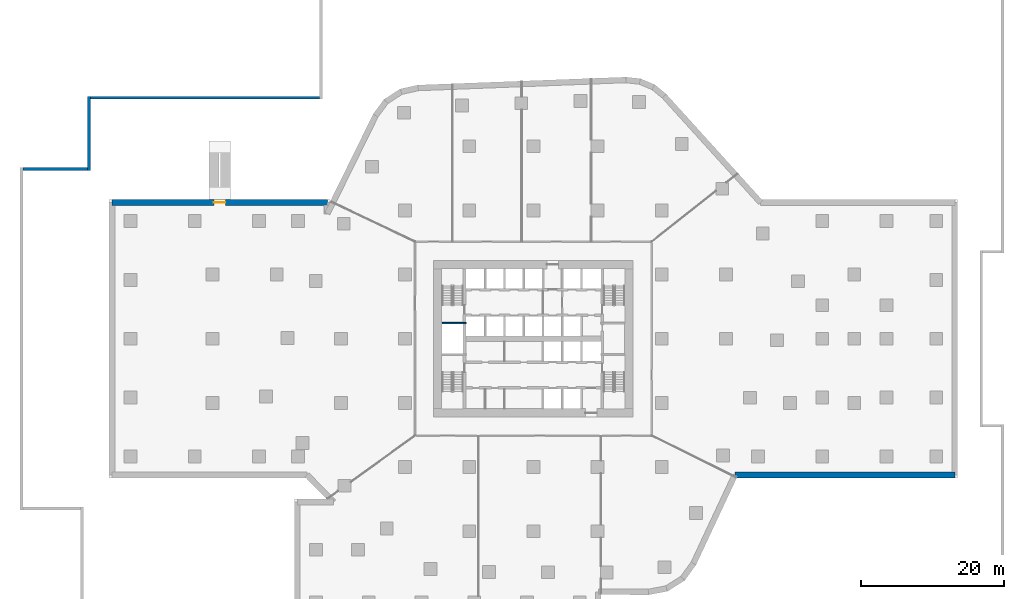
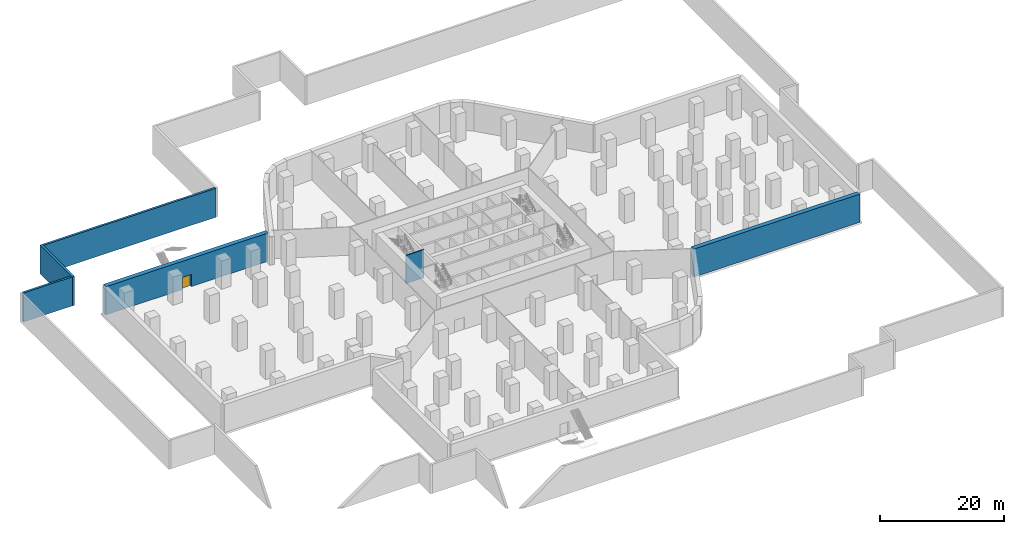
# One storey, part 6 of 11: 6 walls, 1 door, 1 opening.
"""IFC4 building model written with IfcOpenShell, lengths in metres."""

import ifcopenshell
import ifcopenshell.guid

model = None  # the IFC model being written
_history = None  # IfcOwnerHistory: only IFC2X3 demands one
_inside = {}  # id of a spatial element -> (the spatial element, [elements in it])
_under = {}  # id of a project, library or spatial element -> (it, [spatial elements below it])
_declared = {}  # id of a project -> (the project, [libraries it declares])
_typed = {}  # id of a type object -> (the type object, [elements of that type])
_made_of = {}  # id of a material, layer set ... -> (it, [elements and type objects made of it])


def new_model(schema):
    """Start an empty IFC model of exactly this schema.

    Asked for "IFC4X3", IfcOpenShell would pick the latest addendum, in which some entities
    have other attributes; the version numbers below select the first issue.
    IFC2X3 requires an IfcOwnerHistory on every rooted entity: one is made here for all.
    """
    global model, _history
    if schema == "IFC4X3":
        model = ifcopenshell.file(schema_version=(4, 3, 0, 0))
    else:
        model = ifcopenshell.file(schema=schema)
    _inside.clear()
    _under.clear()
    _declared.clear()
    _typed.clear()
    _made_of.clear()
    _history = None
    if model.schema == "IFC2X3":
        org = make("IfcOrganization", Name="unknown")
        user = make(
            "IfcPersonAndOrganization",
            ThePerson=make("IfcPerson", FamilyName="unknown"),
            TheOrganization=org,
        )
        app = make(
            "IfcApplication",
            ApplicationDeveloper=org,
            Version="unknown",
            ApplicationFullName="unknown",
            ApplicationIdentifier="unknown",
        )
        _history = make(
            "IfcOwnerHistory",
            OwningUser=user,
            OwningApplication=app,
            ChangeAction="ADDED",
            CreationDate=0,
        )
    return model


def make(cls, **values):
    """One entity of the class cls with the attributes given. An attribute that is None is left unset."""
    return model.create_entity(
        cls, **{name: value for name, value in values.items() if value is not None}
    )


def rooted(cls, **values):
    """An entity with a GlobalId (a new one), such as an element, a storey or a relation."""
    return make(cls, GlobalId=ifcopenshell.guid.new(), OwnerHistory=_history, **values)


def si_unit(unit_type, name, prefix=None):
    """IfcSIUnit, for example si_unit("LENGTHUNIT", "METRE", prefix="MILLI")."""
    return make("IfcSIUnit", UnitType=unit_type, Prefix=prefix, Name=name)


def assignment(units):
    """IfcUnitAssignment: the units of a project."""
    return None if units is None else make("IfcUnitAssignment", Units=units)


def point(xyz):
    """IfcCartesianPoint."""
    return None if xyz is None else make("IfcCartesianPoint", Coordinates=xyz)


def direction(xyz):
    """IfcDirection."""
    return None if xyz is None else make("IfcDirection", DirectionRatios=xyz)


def frame(location, z_axis=None, x_axis=None):
    """IfcAxis2Placement3D, a coordinate frame: its origin and axes. An axis left out is left unset."""
    return make(
        "IfcAxis2Placement3D",
        Location=point(location),
        Axis=direction(z_axis),
        RefDirection=direction(x_axis),
    )


def frame_2d(location, x_axis=None):
    """IfcAxis2Placement2D, a coordinate frame in the plane: its origin and x axis."""
    return make(
        "IfcAxis2Placement2D", Location=point(location), RefDirection=direction(x_axis)
    )


def origin():
    """The frame at (0, 0, 0) with its axes left unset."""
    return frame((0.0, 0.0, 0.0))


def place(relative_to, where):
    """IfcLocalPlacement: puts the frame where relative to a parent placement (None: the world)."""
    return make(
        "IfcLocalPlacement", PlacementRelTo=relative_to, RelativePlacement=where
    )


def context(
    kind, dimensions, precision=None, world=None, true_north=None, identifier=None
):
    """IfcGeometricRepresentationContext, for example the 3D "Model" context."""
    return make(
        "IfcGeometricRepresentationContext",
        ContextIdentifier=identifier,
        ContextType=kind,
        CoordinateSpaceDimension=dimensions,
        Precision=precision,
        WorldCoordinateSystem=world,
        TrueNorth=true_north,
    )


def subcontext(parent, identifier, kind, view, scale=None):
    """IfcGeometricRepresentationSubContext, for example "Body" below "Model"."""
    return make(
        "IfcGeometricRepresentationSubContext",
        ContextIdentifier=identifier,
        ContextType=kind,
        ParentContext=parent,
        TargetScale=scale,
        TargetView=view,
    )


def project(units=None, contexts=None):
    """IfcProject with its units and contexts."""
    return rooted(
        "IfcProject",
        Name="project",
        RepresentationContexts=contexts,
        UnitsInContext=assignment(units),
    )


def spatial(cls, under=None, at=None, **own):
    """A site, building, storey or space (cls), placed at a placement, below another one or the project."""
    s = rooted(cls, ObjectPlacement=at, **own)
    if under is not None:
        _under.setdefault(under.id(), (under, []))[1].append(s)
    return s


def profile(cls, at=None, kind="AREA", **sizes):
    """A parametric profile (cls). Its sizes go by their IFC names, for example OverallWidth=200.0."""
    return make(cls, ProfileType=kind, Position=at, **sizes)


def rectangle(**sizes):
    """IfcRectangleProfileDef."""
    return profile("IfcRectangleProfileDef", **sizes)


def extrude(swept, where, along, depth):
    """IfcExtrudedAreaSolid: the profile swept, set in the frame where, extruded along a direction by depth."""
    return make(
        "IfcExtrudedAreaSolid",
        SweptArea=swept,
        Position=where,
        ExtrudedDirection=direction(along),
        Depth=depth,
    )


def shape(context_of_items, identifier, shape_type, items):
    """IfcShapeRepresentation: the items that make up one representation, for example the "Body"."""
    return make(
        "IfcShapeRepresentation",
        ContextOfItems=context_of_items,
        RepresentationIdentifier=identifier,
        RepresentationType=shape_type,
        Items=items,
    )


def material(Name=None, Category=None):
    """IfcMaterial."""
    return make("IfcMaterial", Name=Name, Category=Category)


def layer(
    of_material, thickness, ventilated=None, Name=None, Category=None, Priority=None
):
    """IfcMaterialLayer: one layer of a wall or slab, of a material (None: an air gap)."""
    return make(
        "IfcMaterialLayer",
        Material=of_material,
        LayerThickness=thickness,
        IsVentilated=ventilated,
        Name=Name,
        Category=Category,
        Priority=Priority,
    )


def layer_set(layers, Name=None):
    """IfcMaterialLayerSet."""
    return make("IfcMaterialLayerSet", MaterialLayers=layers, LayerSetName=Name)


def made_of(thing, what):
    """Note that an element or type object is made of a material, layer set ...; save() writes the relation."""
    if what is not None:
        _made_of.setdefault(what.id(), (what, []))[1].append(thing)
    return thing


def type_object(cls, material=None, **own):
    """A type object (cls), such as IfcWallType, which elements share."""
    return made_of(rooted(cls, **own), material)


def element(
    cls,
    number,
    at=None,
    inside=None,
    cuts=None,
    type_object=None,
    material=None,
    context=None,
    identifier="Body",
    shape_type=None,
    held_by="IfcProductDefinitionShape",
    body=None,
    shapes=None,
    **own,
):
    """One element of the class cls, such as IfcWall. Its Tag is "e" and its number.

    at: its placement. inside: the storey or other place that contains it. cuts: it is an
    opening in that element (IfcRelVoidsElement). A single representation is given by context,
    identifier, shape_type and body (its items); several are given by shapes. held_by: the class
    of the entity that holds the representations. save() writes the other relations.
    """
    e = rooted(cls, Tag="e%d" % number, ObjectPlacement=at, **own)
    if body is not None:
        shapes = [shape(context, identifier, shape_type, body)]
    if shapes is not None:
        e.Representation = make(held_by, Representations=shapes)
    if inside is not None:
        _inside.setdefault(inside.id(), (inside, []))[1].append(e)
    if cuts is not None:
        rooted(
            "IfcRelVoidsElement", RelatingBuildingElement=cuts, RelatedOpeningElement=e
        )
    if type_object is not None:
        _typed.setdefault(type_object.id(), (type_object, []))[1].append(e)
    return made_of(e, material)


def fill(opening, filler):
    """IfcRelFillsElement: the door or window that sits in an opening."""
    return rooted(
        "IfcRelFillsElement",
        RelatingOpeningElement=opening,
        RelatedBuildingElement=filler,
    )


def aggregate(whole, parts):
    """IfcRelAggregates: a whole, such as a stair, and the parts it consists of."""
    return rooted("IfcRelAggregates", RelatingObject=whole, RelatedObjects=parts)


def save(model, path):
    """Write the relations noted so far, then the file.

    IfcRelAggregates (storeys below a building ...), IfcRelContainedInSpatialStructure (elements
    in a storey), IfcRelDefinesByType, IfcRelAssociatesMaterial and IfcRelDeclares: one each for
    every whole, place, type object, material and project.
    """
    for whole, parts in _under.values():
        aggregate(whole, parts)
    for where, things in _inside.values():
        rooted(
            "IfcRelContainedInSpatialStructure",
            RelatedElements=things,
            RelatingStructure=where,
        )
    for kind, things in _typed.values():
        rooted("IfcRelDefinesByType", RelatedObjects=things, RelatingType=kind)
    for what, things in _made_of.values():
        rooted("IfcRelAssociatesMaterial", RelatedObjects=things, RelatingMaterial=what)
    for by, libraries in _declared.values():
        rooted("IfcRelDeclares", RelatingContext=by, RelatedDefinitions=libraries)
    model.write(path)


model = new_model("IFC4")

# Units and contexts
model_context = context("Model", 3, precision=1e-05, world=origin(), true_north=direction((0.0, 1.0)))
body_context = subcontext(model_context, "Body", "Model", "MODEL_VIEW")
ifc_project = project(units=[si_unit("LENGTHUNIT", "METRE"), si_unit("AREAUNIT", "SQUARE_METRE"), si_unit("VOLUMEUNIT", "CUBIC_METRE"), si_unit("PLANEANGLEUNIT", "RADIAN"), si_unit("MASSUNIT", "GRAM", prefix="KILO")], contexts=[model_context])

# Site, building, storey
site_placement = place(None, origin())
site = spatial("IfcSite", under=ifc_project, at=site_placement, CompositionType="ELEMENT")
building_placement = place(site_placement, origin())
building = spatial("IfcBuilding", under=site, at=building_placement, Name="Dongbaek Canopy Tower", CompositionType="ELEMENT")
storey_placement = place(building_placement, frame((0.0, 0.0, -6.0)))
storey = spatial("IfcBuildingStorey", under=building, at=storey_placement, Name="B1", CompositionType="ELEMENT", Elevation=-6.0)

# Walls
ifc_material_1 = material(Name="Concrete C40/50", Category="concrete")
ifc_layer_1 = layer(ifc_material_1, 0.39990234375)
ifc_layer_set_1 = layer_set([ifc_layer_1], Name="Plaza plinth wall 400")
wall_type_1 = type_object("IfcWallType", Name="Plaza plinth wall 400", PredefinedType="SOLIDWALL", material=ifc_layer_set_1)
wall_1_placement = place(storey_placement, frame((-71.60009765625, 23.800048828125, 0.0), z_axis=(0.0, 0.0, 1.0), x_axis=(1.0, 0.0, 0.0)))
element("IfcWall", 1, at=wall_1_placement, inside=storey, type_object=wall_type_1, Name="Plaza plinth wall 18", PredefinedType="SOLIDWALL", context=body_context, shape_type="SweptSolid", body=[
    extrude(rectangle(XDim=9.10009765625, YDim=0.39990234375, at=frame_2d((4.550048828125, 0.0))), origin(), (0.0, 0.0, 1.0), 5.699951171875),
])
wall_2_placement = place(storey_placement, frame((-62.300048828125, 23.60009765625, 0.0), z_axis=(0.0, 0.0, 1.0), x_axis=(0.0, 1.0, 0.0)))
element("IfcWall", 2, at=wall_2_placement, inside=storey, type_object=wall_type_1, Name="Plaza plinth wall 19", PredefinedType="SOLIDWALL", context=body_context, shape_type="SweptSolid", body=[
    extrude(rectangle(XDim=10.39990234375, YDim=0.39990234375, at=frame_2d((5.199951171875, 0.0))), origin(), (0.0, 0.0, 1.0), 5.699951171875),
])
wall_3_placement = place(storey_placement, frame((-62.10009765625, 33.800048828125, 0.0), z_axis=(0.0, 0.0, 1.0), x_axis=(1.0, 0.0, 0.0)))
element("IfcWall", 3, at=wall_3_placement, inside=storey, type_object=wall_type_1, Name="Plaza plinth wall 20", PredefinedType="SOLIDWALL", context=body_context, shape_type="SweptSolid", body=[
    extrude(rectangle(XDim=32.10009765625, YDim=0.39990234375, at=frame_2d((16.050048828125, 0.0))), origin(), (0.0, 0.0, 1.0), 5.699951171875),
])

# Wall, opening, door
ifc_material_2 = material(Name="Concrete C40", Category="concrete")
ifc_layer_2 = layer(ifc_material_2, 0.800048828125)
ifc_layer_set_2 = layer_set([ifc_layer_2], Name="RC RETAINING WALL 800 Concrete C40")
wall_type_2 = type_object("IfcWallType", Name="RC RETAINING WALL 800 Concrete C40", PredefinedType="SHEAR", material=ifc_layer_set_2)
wall_4_placement = place(storey_placement, frame((-59.10009765625, 19.10009765625, 0.0), z_axis=(0.0, 0.0, 1.0), x_axis=(1.0, 0.0, 0.0)))
wall_4 = element("IfcWall", 4, at=wall_4_placement, inside=storey, type_object=wall_type_2, Name="RWALL:B1:05", PredefinedType="SHEAR", context=body_context, shape_type="SweptSolid", body=[
    extrude(rectangle(XDim=30.2001953125, YDim=0.800048828125, at=frame_2d((15.10009765625, 0.0))), origin(), (0.0, 0.0, 1.0), 5.550048828125),
])
opening_placement = place(wall_4_placement, frame((14.300048828125, 0.0, 0.0)))
opening = element("IfcOpeningElement", 5, at=opening_placement, cuts=wall_4, Name="Opening B1-MB", PredefinedType="OPENING", context=body_context, shape_type="SweptSolid", body=[
    extrude(rectangle(XDim=1.60009765625, YDim=2.39990234375, at=frame_2d((0.800048828125, 1.199951171875))), frame((0.0, 0.409912109375, 0.0), z_axis=(0.0, -1.0, 0.0), x_axis=(1.0, 0.0, 0.0)), (0.0, 0.0, 1.0), 0.820068359375),
])
ifc_material_3 = material(Name="Steel door set", Category="steel")
door_type = type_object("IfcDoorType", Name="Metro concourse door MD1 1600 x 2400", OperationType="DOUBLE_DOOR_SINGLE_SWING", PredefinedType="DOOR", material=ifc_material_3)
door_placement = place(opening_placement, origin())
door = element("IfcDoor", 6, at=door_placement, inside=storey, type_object=door_type, Name="Metro concourse door B", OperationType="SINGLE_SWING_LEFT", OverallHeight=2.39990234375, OverallWidth=1.60009765625, PredefinedType="DOOR", context=body_context, shape_type="SweptSolid", body=[
    extrude(rectangle(XDim=1.60009765625, YDim=2.39990234375, at=frame_2d((0.800048828125, 1.199951171875))), frame((0.0, 0.02490234375, 0.0), z_axis=(0.0, -1.0, 0.0), x_axis=(1.0, 0.0, 0.0)), (0.0, 0.0, 1.0), 0.050048828125),
])
fill(opening, door)

# Walls
wall_5_placement = place(storey_placement, frame((59.10009765625, -19.10009765625, 0.0), z_axis=(0.0, 0.0, 1.0), x_axis=(-1.0, 0.0, 0.0)))
element("IfcWall", 7, at=wall_5_placement, inside=storey, type_object=wall_type_2, Name="RWALL:B1:18", PredefinedType="SHEAR", context=body_context, shape_type="SweptSolid", body=[
    extrude(rectangle(XDim=30.824462890625, YDim=0.800048828125, at=frame_2d((15.412109375, 0.0))), origin(), (0.0, 0.0, 1.0), 5.550048828125),
])
ifc_material_4 = material(Name="Concrete C60/75", Category="concrete")
ifc_layer_3 = layer(ifc_material_4, 0.199951171875)
ifc_layer_set_3 = layer_set([ifc_layer_3], Name="Riser wall 200 Concrete C60/75")
wall_type_3 = type_object("IfcWallType", Name="Riser wall 200 Concrete C60/75", PredefinedType="SHEAR", material=ifc_layer_set_3)
wall_6_placement = place(storey_placement, frame((-9.449951171875, 2.199951171875, 0.0), z_axis=(0.0, 0.0, 1.0), x_axis=(-1.0, 0.0, 0.0)))
element("IfcWall", 8, at=wall_6_placement, inside=storey, type_object=wall_type_3, Name="Riser wall", PredefinedType="SHEAR", context=body_context, shape_type="SweptSolid", body=[
    extrude(rectangle(XDim=3.35009765625, YDim=0.199951171875, at=frame_2d((1.675048828125, 0.0))), origin(), (0.0, 0.0, 1.0), 5.550048828125),
])

save(model, "model.ifc")
